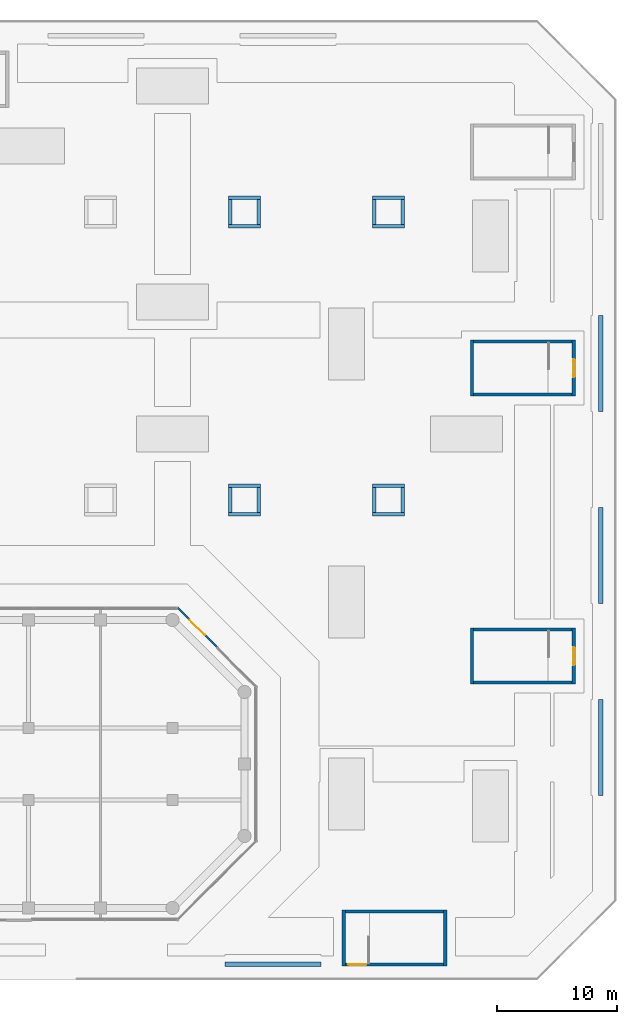
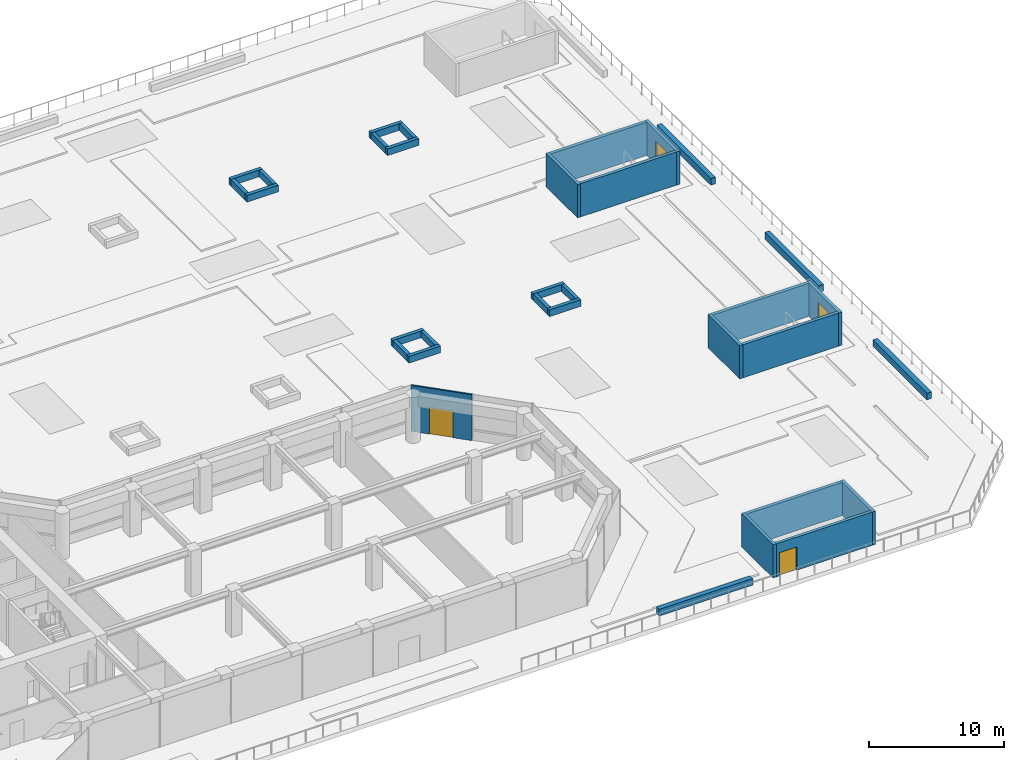
# One storey, part 27 of 31: 33 walls, 4 doors, 4 openings.
"""IFC4 building model written with IfcOpenShell, lengths in metres."""

import ifcopenshell
import ifcopenshell.guid

model = None  # the IFC model being written
_history = None  # IfcOwnerHistory: only IFC2X3 demands one
_inside = {}  # id of a spatial element -> (the spatial element, [elements in it])
_under = {}  # id of a project, library or spatial element -> (it, [spatial elements below it])
_declared = {}  # id of a project -> (the project, [libraries it declares])
_typed = {}  # id of a type object -> (the type object, [elements of that type])
_made_of = {}  # id of a material, layer set ... -> (it, [elements and type objects made of it])


def new_model(schema):
    """Start an empty IFC model of exactly this schema.

    Asked for "IFC4X3", IfcOpenShell would pick the latest addendum, in which some entities
    have other attributes; the version numbers below select the first issue.
    IFC2X3 requires an IfcOwnerHistory on every rooted entity: one is made here for all.
    """
    global model, _history
    if schema == "IFC4X3":
        model = ifcopenshell.file(schema_version=(4, 3, 0, 0))
    else:
        model = ifcopenshell.file(schema=schema)
    _inside.clear()
    _under.clear()
    _declared.clear()
    _typed.clear()
    _made_of.clear()
    _history = None
    if model.schema == "IFC2X3":
        org = make("IfcOrganization", Name="unknown")
        user = make(
            "IfcPersonAndOrganization",
            ThePerson=make("IfcPerson", FamilyName="unknown"),
            TheOrganization=org,
        )
        app = make(
            "IfcApplication",
            ApplicationDeveloper=org,
            Version="unknown",
            ApplicationFullName="unknown",
            ApplicationIdentifier="unknown",
        )
        _history = make(
            "IfcOwnerHistory",
            OwningUser=user,
            OwningApplication=app,
            ChangeAction="ADDED",
            CreationDate=0,
        )
    return model


def make(cls, **values):
    """One entity of the class cls with the attributes given. An attribute that is None is left unset."""
    return model.create_entity(
        cls, **{name: value for name, value in values.items() if value is not None}
    )


def rooted(cls, **values):
    """An entity with a GlobalId (a new one), such as an element, a storey or a relation."""
    return make(cls, GlobalId=ifcopenshell.guid.new(), OwnerHistory=_history, **values)


def si_unit(unit_type, name, prefix=None):
    """IfcSIUnit, for example si_unit("LENGTHUNIT", "METRE", prefix="MILLI")."""
    return make("IfcSIUnit", UnitType=unit_type, Prefix=prefix, Name=name)


def assignment(units):
    """IfcUnitAssignment: the units of a project."""
    return None if units is None else make("IfcUnitAssignment", Units=units)


def point(xyz):
    """IfcCartesianPoint."""
    return None if xyz is None else make("IfcCartesianPoint", Coordinates=xyz)


def direction(xyz):
    """IfcDirection."""
    return None if xyz is None else make("IfcDirection", DirectionRatios=xyz)


def frame(location, z_axis=None, x_axis=None):
    """IfcAxis2Placement3D, a coordinate frame: its origin and axes. An axis left out is left unset."""
    return make(
        "IfcAxis2Placement3D",
        Location=point(location),
        Axis=direction(z_axis),
        RefDirection=direction(x_axis),
    )


def frame_2d(location, x_axis=None):
    """IfcAxis2Placement2D, a coordinate frame in the plane: its origin and x axis."""
    return make(
        "IfcAxis2Placement2D", Location=point(location), RefDirection=direction(x_axis)
    )


def origin():
    """The frame at (0, 0, 0) with its axes left unset."""
    return frame((0.0, 0.0, 0.0))


def place(relative_to, where):
    """IfcLocalPlacement: puts the frame where relative to a parent placement (None: the world)."""
    return make(
        "IfcLocalPlacement", PlacementRelTo=relative_to, RelativePlacement=where
    )


def context(
    kind, dimensions, precision=None, world=None, true_north=None, identifier=None
):
    """IfcGeometricRepresentationContext, for example the 3D "Model" context."""
    return make(
        "IfcGeometricRepresentationContext",
        ContextIdentifier=identifier,
        ContextType=kind,
        CoordinateSpaceDimension=dimensions,
        Precision=precision,
        WorldCoordinateSystem=world,
        TrueNorth=true_north,
    )


def subcontext(parent, identifier, kind, view, scale=None):
    """IfcGeometricRepresentationSubContext, for example "Body" below "Model"."""
    return make(
        "IfcGeometricRepresentationSubContext",
        ContextIdentifier=identifier,
        ContextType=kind,
        ParentContext=parent,
        TargetScale=scale,
        TargetView=view,
    )


def project(units=None, contexts=None):
    """IfcProject with its units and contexts."""
    return rooted(
        "IfcProject",
        Name="project",
        RepresentationContexts=contexts,
        UnitsInContext=assignment(units),
    )


def spatial(cls, under=None, at=None, **own):
    """A site, building, storey or space (cls), placed at a placement, below another one or the project."""
    s = rooted(cls, ObjectPlacement=at, **own)
    if under is not None:
        _under.setdefault(under.id(), (under, []))[1].append(s)
    return s


def profile(cls, at=None, kind="AREA", **sizes):
    """A parametric profile (cls). Its sizes go by their IFC names, for example OverallWidth=200.0."""
    return make(cls, ProfileType=kind, Position=at, **sizes)


def rectangle(**sizes):
    """IfcRectangleProfileDef."""
    return profile("IfcRectangleProfileDef", **sizes)


def extrude(swept, where, along, depth):
    """IfcExtrudedAreaSolid: the profile swept, set in the frame where, extruded along a direction by depth."""
    return make(
        "IfcExtrudedAreaSolid",
        SweptArea=swept,
        Position=where,
        ExtrudedDirection=direction(along),
        Depth=depth,
    )


def shape(context_of_items, identifier, shape_type, items):
    """IfcShapeRepresentation: the items that make up one representation, for example the "Body"."""
    return make(
        "IfcShapeRepresentation",
        ContextOfItems=context_of_items,
        RepresentationIdentifier=identifier,
        RepresentationType=shape_type,
        Items=items,
    )


def material(Name=None, Category=None):
    """IfcMaterial."""
    return make("IfcMaterial", Name=Name, Category=Category)


def layer(
    of_material, thickness, ventilated=None, Name=None, Category=None, Priority=None
):
    """IfcMaterialLayer: one layer of a wall or slab, of a material (None: an air gap)."""
    return make(
        "IfcMaterialLayer",
        Material=of_material,
        LayerThickness=thickness,
        IsVentilated=ventilated,
        Name=Name,
        Category=Category,
        Priority=Priority,
    )


def layer_set(layers, Name=None):
    """IfcMaterialLayerSet."""
    return make("IfcMaterialLayerSet", MaterialLayers=layers, LayerSetName=Name)


def made_of(thing, what):
    """Note that an element or type object is made of a material, layer set ...; save() writes the relation."""
    if what is not None:
        _made_of.setdefault(what.id(), (what, []))[1].append(thing)
    return thing


def type_object(cls, material=None, **own):
    """A type object (cls), such as IfcWallType, which elements share."""
    return made_of(rooted(cls, **own), material)


def element(
    cls,
    number,
    at=None,
    inside=None,
    cuts=None,
    type_object=None,
    material=None,
    context=None,
    identifier="Body",
    shape_type=None,
    held_by="IfcProductDefinitionShape",
    body=None,
    shapes=None,
    **own,
):
    """One element of the class cls, such as IfcWall. Its Tag is "e" and its number.

    at: its placement. inside: the storey or other place that contains it. cuts: it is an
    opening in that element (IfcRelVoidsElement). A single representation is given by context,
    identifier, shape_type and body (its items); several are given by shapes. held_by: the class
    of the entity that holds the representations. save() writes the other relations.
    """
    e = rooted(cls, Tag="e%d" % number, ObjectPlacement=at, **own)
    if body is not None:
        shapes = [shape(context, identifier, shape_type, body)]
    if shapes is not None:
        e.Representation = make(held_by, Representations=shapes)
    if inside is not None:
        _inside.setdefault(inside.id(), (inside, []))[1].append(e)
    if cuts is not None:
        rooted(
            "IfcRelVoidsElement", RelatingBuildingElement=cuts, RelatedOpeningElement=e
        )
    if type_object is not None:
        _typed.setdefault(type_object.id(), (type_object, []))[1].append(e)
    return made_of(e, material)


def fill(opening, filler):
    """IfcRelFillsElement: the door or window that sits in an opening."""
    return rooted(
        "IfcRelFillsElement",
        RelatingOpeningElement=opening,
        RelatedBuildingElement=filler,
    )


def aggregate(whole, parts):
    """IfcRelAggregates: a whole, such as a stair, and the parts it consists of."""
    return rooted("IfcRelAggregates", RelatingObject=whole, RelatedObjects=parts)


def save(model, path):
    """Write the relations noted so far, then the file.

    IfcRelAggregates (storeys below a building ...), IfcRelContainedInSpatialStructure (elements
    in a storey), IfcRelDefinesByType, IfcRelAssociatesMaterial and IfcRelDeclares: one each for
    every whole, place, type object, material and project.
    """
    for whole, parts in _under.values():
        aggregate(whole, parts)
    for where, things in _inside.values():
        rooted(
            "IfcRelContainedInSpatialStructure",
            RelatedElements=things,
            RelatingStructure=where,
        )
    for kind, things in _typed.values():
        rooted("IfcRelDefinesByType", RelatedObjects=things, RelatingType=kind)
    for what, things in _made_of.values():
        rooted("IfcRelAssociatesMaterial", RelatedObjects=things, RelatingMaterial=what)
    for by, libraries in _declared.values():
        rooted("IfcRelDeclares", RelatingContext=by, RelatedDefinitions=libraries)
    model.write(path)


model = new_model("IFC4")

# Units and contexts
model_context = context("Model", 3, precision=1e-05, world=origin(), true_north=direction((0.0, 1.0)))
body_context = subcontext(model_context, "Body", "Model", "MODEL_VIEW")
ifc_project = project(units=[si_unit("LENGTHUNIT", "METRE"), si_unit("AREAUNIT", "SQUARE_METRE"), si_unit("VOLUMEUNIT", "CUBIC_METRE"), si_unit("PLANEANGLEUNIT", "RADIAN"), si_unit("MASSUNIT", "GRAM", prefix="KILO")], contexts=[model_context])

# Site, building, storey
site_placement = place(None, origin())
site = spatial("IfcSite", under=ifc_project, at=site_placement, CompositionType="ELEMENT")
building_placement = place(site_placement, origin())
building = spatial("IfcBuilding", under=site, at=building_placement, Name="Welwitschia Terrace Campus", CompositionType="ELEMENT")
storey_placement = place(building_placement, frame((0.0, 0.0, 11.0)))
storey = spatial("IfcBuildingStorey", under=building, at=storey_placement, Name="L02", CompositionType="ELEMENT", Elevation=11.0)

# Wall, opening, door
ifc_material_1 = material(Name="Concrete C40/50", Category="concrete")
ifc_layer_1 = layer(ifc_material_1, 0.139892578125)
ifc_layer_set_1 = layer_set([ifc_layer_1], Name="Concrete C40/50")
wall_type_1 = type_object("IfcWallType", Name="Clad wall 140", PredefinedType="SOLIDWALL", material=ifc_layer_set_1)
wall_1_placement = place(storey_placement, frame((63.72119140625, 17.72119140625, 0.0), z_axis=(0.0, 0.0, 1.0), x_axis=(-0.707080613853, 0.707132947552, 0.0)))
wall_1 = element("IfcWall", 1, at=wall_1_placement, inside=storey, type_object=wall_type_1, Name="Clad wall L02.deck door E", PredefinedType="SOLIDWALL", context=body_context, shape_type="SweptSolid", body=[
    extrude(rectangle(XDim=4.6650390625, YDim=0.139892578125, at=frame_2d((2.33251953125, 0.0))), origin(), (0.0, 0.0, 1.0), 4.14990234375),
])
opening_1_placement = place(wall_1_placement, frame((1.4326171875, 0.0, 0.0)))
opening_1 = element("IfcOpeningElement", 2, at=opening_1_placement, cuts=wall_1, Name="Opening DE3", PredefinedType="OPENING", context=body_context, shape_type="SweptSolid", body=[
    extrude(rectangle(XDim=1.800048828125, YDim=2.39990234375, at=frame_2d((0.89990234375, 1.199951171875))), frame((0.0, 0.079833984375, 0.0), z_axis=(0.0, -1.0, 0.0), x_axis=(1.0, 0.0, 0.0)), (0.0, 0.0, 1.0), 0.159912109375),
])
ifc_material_2 = material(Name="Bronze anodised aluminium and glass", Category="aluminium")
door_type_1 = type_object("IfcDoorType", Name="Terrace door 1800x2400", OperationType="DOUBLE_DOOR_DOUBLE_SWING", PredefinedType="DOOR", material=ifc_material_2)
door_1_placement = place(opening_1_placement, origin())
door_1 = element("IfcDoor", 3, at=door_1_placement, inside=storey, type_object=door_type_1, Name="Door L02:E", OperationType="DOUBLE_DOOR_DOUBLE_SWING", OverallHeight=2.39990234375, OverallWidth=1.800048828125, PredefinedType="DOOR", context=body_context, shape_type="SweptSolid", body=[
    extrude(rectangle(XDim=1.800048828125, YDim=2.39990234375, at=frame_2d((0.89990234375, 1.199951171875))), frame((0.0, 0.02490234375, 0.0), z_axis=(0.0, -1.0, 0.0), x_axis=(1.0, 0.0, 0.0)), (0.0, 0.0, 1.0), 0.050048828125),
])
fill(opening_1, door_1)

# Walls
ifc_material_3 = material(Name="Concrete C50/60", Category="concrete")
ifc_layer_2 = layer(ifc_material_3, 0.27490234375)
ifc_layer_set_2 = layer_set([ifc_layer_2], Name="Concrete C50/60")
wall_type_2 = type_object("IfcWallType", Name="Head house wall 275 Concrete C50/60", PredefinedType="SHEAR", material=ifc_layer_set_2)
for number, where, z_axis, x_axis, name in (
    (4, (74.262451171875, -8.85009765625, 0.0), (0.0, 0.0, 1.0), (0.0, 1.0, 0.0), "Core wall"),
    (5, (82.737548828125, -8.85009765625, 0.0), (0.0, 0.0, 1.0), (0.0, 1.0, 0.0), "Core wall"),
):
    element("IfcWall", number, at=place(storey_placement, frame(where, z_axis=z_axis, x_axis=x_axis)), inside=storey, type_object=wall_type_2, Name=name, PredefinedType="SHEAR", context=body_context, shape_type="SweptSolid", body=[
        extrude(rectangle(XDim=4.7001953125, YDim=0.27490234375, at=frame_2d((2.35009765625, 0.0))), origin(), (0.0, 0.0, 1.0), 3.0),
    ])

# Wall, opening, door
wall_2_placement = place(storey_placement, frame((82.60009765625, -8.71240234375, 0.0), z_axis=(0.0, 0.0, 1.0), x_axis=(-1.0, 0.0, 0.0)))
wall_2 = element("IfcWall", 6, at=wall_2_placement, inside=storey, type_object=wall_type_2, Name="Core wall", PredefinedType="SHEAR", context=body_context, shape_type="SweptSolid", body=[
    extrude(rectangle(XDim=8.2001953125, YDim=0.27490234375, at=frame_2d((4.10009765625, 0.0))), origin(), (0.0, 0.0, 1.0), 3.0),
])
opening_2_placement = place(wall_2_placement, frame((6.449951171875, 0.0, 0.0)))
opening_2 = element("IfcOpeningElement", 7, at=opening_2_placement, cuts=wall_2, Name="Opening DS15", PredefinedType="OPENING", context=body_context, shape_type="SweptSolid", body=[
    extrude(rectangle(XDim=1.5, YDim=2.10009765625, at=frame_2d((0.75, 1.050048828125))), frame((0.0, 0.1474609375, 0.0), z_axis=(0.0, -1.0, 0.0), x_axis=(1.0, 0.0, 0.0)), (0.0, 0.0, 1.0), 0.294921875),
])
ifc_material_4 = material(Name="Steel S275", Category="steel")
door_type_2 = type_object("IfcDoorType", Name="Core door DS15", OperationType="DOUBLE_DOOR_SINGLE_SWING", PredefinedType="DOOR", material=ifc_material_4)
door_2_placement = place(opening_2_placement, origin())
door_2 = element("IfcDoor", 8, at=door_2_placement, inside=storey, type_object=door_type_2, Name="Door P5", OperationType="DOUBLE_DOOR_SINGLE_SWING", OverallHeight=2.10009765625, OverallWidth=1.5, PredefinedType="DOOR", context=body_context, shape_type="SweptSolid", body=[
    extrude(rectangle(XDim=1.5, YDim=2.10009765625, at=frame_2d((0.75, 1.050048828125))), frame((0.0, 0.02490234375, 0.0), z_axis=(0.0, -1.0, 0.0), x_axis=(1.0, 0.0, 0.0)), (0.0, 0.0, 1.0), 0.050048828125),
])
fill(opening_2, door_2)

# Walls
wall_3_placement = place(storey_placement, frame((74.39990234375, -4.28759765625, 0.0), z_axis=(0.0, 0.0, 1.0), x_axis=(1.0, 0.0, 0.0)))
element("IfcWall", 9, at=wall_3_placement, inside=storey, type_object=wall_type_2, Name="Core wall", PredefinedType="SHEAR", context=body_context, shape_type="SweptSolid", body=[
    extrude(rectangle(XDim=8.2001953125, YDim=0.27490234375, at=frame_2d((4.10009765625, 0.0))), origin(), (0.0, 0.0, 1.0), 3.0),
])
wall_4_placement = place(storey_placement, frame((84.96240234375, 14.64990234375, 0.0), z_axis=(0.0, 0.0, 1.0), x_axis=(0.0, 1.0, 0.0)))
element("IfcWall", 10, at=wall_4_placement, inside=storey, type_object=wall_type_2, Name="Core wall", PredefinedType="SHEAR", context=body_context, shape_type="SweptSolid", body=[
    extrude(rectangle(XDim=4.7001953125, YDim=0.27490234375, at=frame_2d((2.35009765625, 0.0))), origin(), (0.0, 0.0, 1.0), 3.0),
])

# Wall, opening, door
wall_5_placement = place(storey_placement, frame((93.4375, 19.35009765625, 0.0), z_axis=(0.0, 0.0, 1.0), x_axis=(0.0, -1.0, 0.0)))
wall_5 = element("IfcWall", 11, at=wall_5_placement, inside=storey, type_object=wall_type_2, Name="Core wall", PredefinedType="SHEAR", context=body_context, shape_type="SweptSolid", body=[
    extrude(rectangle(XDim=4.7001953125, YDim=0.27490234375, at=frame_2d((2.35009765625, 0.0))), origin(), (0.0, 0.0, 1.0), 3.0),
])
opening_3_placement = place(wall_5_placement, frame((1.60009765625, 0.0, 0.0)))
opening_3 = element("IfcOpeningElement", 12, at=opening_3_placement, cuts=wall_5, Name="Opening DS15", PredefinedType="OPENING", context=body_context, shape_type="SweptSolid", body=[
    extrude(rectangle(XDim=1.5, YDim=2.10009765625, at=frame_2d((0.75, 1.050048828125))), frame((0.0, 0.1474609375, 0.0), z_axis=(0.0, -1.0, 0.0), x_axis=(1.0, 0.0, 0.0)), (0.0, 0.0, 1.0), 0.294921875),
])
door_3_placement = place(opening_3_placement, origin())
door_3 = element("IfcDoor", 13, at=door_3_placement, inside=storey, type_object=door_type_2, Name="Door P6", OperationType="DOUBLE_DOOR_SINGLE_SWING", OverallHeight=2.10009765625, OverallWidth=1.5, PredefinedType="DOOR", context=body_context, shape_type="SweptSolid", body=[
    extrude(rectangle(XDim=1.5, YDim=2.10009765625, at=frame_2d((0.75, 1.050048828125))), frame((0.0, 0.02490234375, 0.0), z_axis=(0.0, -1.0, 0.0), x_axis=(1.0, 0.0, 0.0)), (0.0, 0.0, 1.0), 0.050048828125),
])
fill(opening_3, door_3)

# Walls
for number, where, z_axis, x_axis, name in (
    (14, (85.10009765625, 14.78759765625, 0.0), (0.0, 0.0, 1.0), (1.0, 0.0, 0.0), "Core wall"),
    (15, (85.10009765625, 19.21240234375, 0.0), (0.0, 0.0, 1.0), (1.0, 0.0, 0.0), "Core wall"),
):
    element("IfcWall", number, at=place(storey_placement, frame(where, z_axis=z_axis, x_axis=x_axis)), inside=storey, type_object=wall_type_2, Name=name, PredefinedType="SHEAR", context=body_context, shape_type="SweptSolid", body=[
        extrude(rectangle(XDim=8.199951171875, YDim=0.27490234375, at=frame_2d((4.10009765625, 0.0))), origin(), (0.0, 0.0, 1.0), 3.0),
    ])
wall_6_placement = place(storey_placement, frame((84.96240234375, 38.64990234375, 0.0), z_axis=(0.0, 0.0, 1.0), x_axis=(0.0, 1.0, 0.0)))
element("IfcWall", 16, at=wall_6_placement, inside=storey, type_object=wall_type_2, Name="Core wall", PredefinedType="SHEAR", context=body_context, shape_type="SweptSolid", body=[
    extrude(rectangle(XDim=4.7001953125, YDim=0.27490234375, at=frame_2d((2.35009765625, 0.0))), origin(), (0.0, 0.0, 1.0), 3.0),
])

# Wall, opening, door
wall_7_placement = place(storey_placement, frame((93.4375, 43.35009765625, 0.0), z_axis=(0.0, 0.0, 1.0), x_axis=(0.0, -1.0, 0.0)))
wall_7 = element("IfcWall", 17, at=wall_7_placement, inside=storey, type_object=wall_type_2, Name="Core wall", PredefinedType="SHEAR", context=body_context, shape_type="SweptSolid", body=[
    extrude(rectangle(XDim=4.7001953125, YDim=0.27490234375, at=frame_2d((2.35009765625, 0.0))), origin(), (0.0, 0.0, 1.0), 3.0),
])
opening_4_placement = place(wall_7_placement, frame((1.60009765625, 0.0, 0.0)))
opening_4 = element("IfcOpeningElement", 18, at=opening_4_placement, cuts=wall_7, Name="Opening DS15", PredefinedType="OPENING", context=body_context, shape_type="SweptSolid", body=[
    extrude(rectangle(XDim=1.5, YDim=2.10009765625, at=frame_2d((0.75, 1.050048828125))), frame((0.0, 0.1474609375, 0.0), z_axis=(0.0, -1.0, 0.0), x_axis=(1.0, 0.0, 0.0)), (0.0, 0.0, 1.0), 0.294921875),
])
door_4_placement = place(opening_4_placement, origin())
door_4 = element("IfcDoor", 19, at=door_4_placement, inside=storey, type_object=door_type_2, Name="Door P8", OperationType="DOUBLE_DOOR_SINGLE_SWING", OverallHeight=2.10009765625, OverallWidth=1.5, PredefinedType="DOOR", context=body_context, shape_type="SweptSolid", body=[
    extrude(rectangle(XDim=1.5, YDim=2.10009765625, at=frame_2d((0.75, 1.050048828125))), frame((0.0, 0.02490234375, 0.0), z_axis=(0.0, -1.0, 0.0), x_axis=(1.0, 0.0, 0.0)), (0.0, 0.0, 1.0), 0.050048828125),
])
fill(opening_4, door_4)

# Walls
for number, where, z_axis, x_axis, name in (
    (20, (85.10009765625, 38.78759765625, 0.0), (0.0, 0.0, 1.0), (1.0, 0.0, 0.0), "Core wall"),
    (21, (85.10009765625, 43.21240234375, 0.0), (0.0, 0.0, 1.0), (1.0, 0.0, 0.0), "Core wall"),
):
    element("IfcWall", number, at=place(storey_placement, frame(where, z_axis=z_axis, x_axis=x_axis)), inside=storey, type_object=wall_type_2, Name=name, PredefinedType="SHEAR", context=body_context, shape_type="SweptSolid", body=[
        extrude(rectangle(XDim=8.199951171875, YDim=0.27490234375, at=frame_2d((4.10009765625, 0.0))), origin(), (0.0, 0.0, 1.0), 3.0),
    ])
ifc_material_5 = material(Name="Concrete C40/50", Category="concrete")
ifc_layer_3 = layer(ifc_material_5, 0.39990234375)
ifc_layer_set_3 = layer_set([ifc_layer_3], Name="Concrete C40/50")
wall_type_3 = type_object("IfcWallType", Name="Planter wall 400", PredefinedType="SOLIDWALL", material=ifc_layer_set_3)
for number, where, z_axis, x_axis, name in (
    (22, (95.679931640625, 45.364501953125, 0.0), (0.0, 0.0, 1.0), (0.0, -1.0, 0.0), "PLANTER"),
    (23, (95.679931640625, 29.364501953125, 0.0), (0.0, 0.0, 1.0), (0.0, -1.0, 0.0), "PLANTER"),
    (24, (95.679931640625, 13.364501953125, 0.0), (0.0, 0.0, 1.0), (0.0, -1.0, 0.0), "PLANTER"),
    (25, (72.364501953125, -8.679931640625, 0.0), (0.0, 0.0, 1.0), (-1.0, 0.0, 0.0), "PLANTER"),
):
    element("IfcWall", number, at=place(storey_placement, frame(where, z_axis=z_axis, x_axis=x_axis)), inside=storey, type_object=wall_type_3, Name=name, PredefinedType="SOLIDWALL", context=body_context, shape_type="SweptSolid", body=[
        extrude(rectangle(XDim=8.0, YDim=0.39990234375, at=frame_2d((4.0, 0.0))), origin(), (0.0, 0.0, 1.0), 0.60009765625),
    ])
ifc_material_6 = material(Name="Concrete C40/50", Category="concrete")
ifc_layer_4 = layer(ifc_material_6, 0.300048828125)
ifc_layer_set_4 = layer_set([ifc_layer_4], Name="Concrete C40/50")
wall_type_4 = type_object("IfcWallType", Name="Tree pit wall 300", PredefinedType="SOLIDWALL", material=ifc_layer_set_4)
for number, where, z_axis, x_axis, name in (
    (26, (64.64990234375, 28.800048828125, 0.0), (0.0, 0.0, 1.0), (1.0, 0.0, 0.0), "PLANTER"),
    (27, (64.64990234375, 31.199951171875, 0.0), (0.0, 0.0, 1.0), (1.0, 0.0, 0.0), "PLANTER"),
):
    element("IfcWall", number, at=place(storey_placement, frame(where, z_axis=z_axis, x_axis=x_axis)), inside=storey, type_object=wall_type_4, Name=name, PredefinedType="SOLIDWALL", context=body_context, shape_type="SweptSolid", body=[
        extrude(rectangle(XDim=2.7001953125, YDim=0.300048828125, at=frame_2d((1.35009765625, 0.0))), origin(), (0.0, 0.0, 1.0), 0.60009765625),
    ])
for number, where, z_axis, x_axis, name in (
    (28, (64.800048828125, 28.949951171875, 0.0), (0.0, 0.0, 1.0), (0.0, 1.0, 0.0), "PLANTER"),
    (29, (67.199951171875, 28.949951171875, 0.0), (0.0, 0.0, 1.0), (0.0, 1.0, 0.0), "PLANTER"),
):
    element("IfcWall", number, at=place(storey_placement, frame(where, z_axis=z_axis, x_axis=x_axis)), inside=storey, type_object=wall_type_4, Name=name, PredefinedType="SOLIDWALL", context=body_context, shape_type="SweptSolid", body=[
        extrude(rectangle(XDim=2.10009765625, YDim=0.300048828125, at=frame_2d((1.050048828125, 0.0))), origin(), (0.0, 0.0, 1.0), 0.60009765625),
    ])
for number, where, z_axis, x_axis, name in (
    (30, (64.64990234375, 52.800048828125, 0.0), (0.0, 0.0, 1.0), (1.0, 0.0, 0.0), "PLANTER"),
    (31, (64.64990234375, 55.199951171875, 0.0), (0.0, 0.0, 1.0), (1.0, 0.0, 0.0), "PLANTER"),
):
    element("IfcWall", number, at=place(storey_placement, frame(where, z_axis=z_axis, x_axis=x_axis)), inside=storey, type_object=wall_type_4, Name=name, PredefinedType="SOLIDWALL", context=body_context, shape_type="SweptSolid", body=[
        extrude(rectangle(XDim=2.7001953125, YDim=0.300048828125, at=frame_2d((1.35009765625, 0.0))), origin(), (0.0, 0.0, 1.0), 0.60009765625),
    ])
for number, where, z_axis, x_axis, name in (
    (32, (64.800048828125, 52.949951171875, 0.0), (0.0, 0.0, 1.0), (0.0, 1.0, 0.0), "PLANTER"),
    (33, (67.199951171875, 52.949951171875, 0.0), (0.0, 0.0, 1.0), (0.0, 1.0, 0.0), "PLANTER"),
):
    element("IfcWall", number, at=place(storey_placement, frame(where, z_axis=z_axis, x_axis=x_axis)), inside=storey, type_object=wall_type_4, Name=name, PredefinedType="SOLIDWALL", context=body_context, shape_type="SweptSolid", body=[
        extrude(rectangle(XDim=2.10009765625, YDim=0.300048828125, at=frame_2d((1.050048828125, 0.0))), origin(), (0.0, 0.0, 1.0), 0.60009765625),
    ])
for number, where, z_axis, x_axis, name in (
    (34, (76.64990234375, 28.800048828125, 0.0), (0.0, 0.0, 1.0), (1.0, 0.0, 0.0), "PLANTER"),
    (35, (76.64990234375, 31.199951171875, 0.0), (0.0, 0.0, 1.0), (1.0, 0.0, 0.0), "PLANTER"),
):
    element("IfcWall", number, at=place(storey_placement, frame(where, z_axis=z_axis, x_axis=x_axis)), inside=storey, type_object=wall_type_4, Name=name, PredefinedType="SOLIDWALL", context=body_context, shape_type="SweptSolid", body=[
        extrude(rectangle(XDim=2.7001953125, YDim=0.300048828125, at=frame_2d((1.35009765625, 0.0))), origin(), (0.0, 0.0, 1.0), 0.60009765625),
    ])
for number, where, z_axis, x_axis, name in (
    (36, (76.800048828125, 28.949951171875, 0.0), (0.0, 0.0, 1.0), (0.0, 1.0, 0.0), "PLANTER"),
    (37, (79.199951171875, 28.949951171875, 0.0), (0.0, 0.0, 1.0), (0.0, 1.0, 0.0), "PLANTER"),
):
    element("IfcWall", number, at=place(storey_placement, frame(where, z_axis=z_axis, x_axis=x_axis)), inside=storey, type_object=wall_type_4, Name=name, PredefinedType="SOLIDWALL", context=body_context, shape_type="SweptSolid", body=[
        extrude(rectangle(XDim=2.10009765625, YDim=0.300048828125, at=frame_2d((1.050048828125, 0.0))), origin(), (0.0, 0.0, 1.0), 0.60009765625),
    ])
for number, where, z_axis, x_axis, name in (
    (38, (76.64990234375, 52.800048828125, 0.0), (0.0, 0.0, 1.0), (1.0, 0.0, 0.0), "PLANTER"),
    (39, (76.64990234375, 55.199951171875, 0.0), (0.0, 0.0, 1.0), (1.0, 0.0, 0.0), "PLANTER"),
):
    element("IfcWall", number, at=place(storey_placement, frame(where, z_axis=z_axis, x_axis=x_axis)), inside=storey, type_object=wall_type_4, Name=name, PredefinedType="SOLIDWALL", context=body_context, shape_type="SweptSolid", body=[
        extrude(rectangle(XDim=2.7001953125, YDim=0.300048828125, at=frame_2d((1.35009765625, 0.0))), origin(), (0.0, 0.0, 1.0), 0.60009765625),
    ])
for number, where, z_axis, x_axis, name in (
    (40, (76.800048828125, 52.949951171875, 0.0), (0.0, 0.0, 1.0), (0.0, 1.0, 0.0), "PLANTER"),
    (41, (79.199951171875, 52.949951171875, 0.0), (0.0, 0.0, 1.0), (0.0, 1.0, 0.0), "PLANTER"),
):
    element("IfcWall", number, at=place(storey_placement, frame(where, z_axis=z_axis, x_axis=x_axis)), inside=storey, type_object=wall_type_4, Name=name, PredefinedType="SOLIDWALL", context=body_context, shape_type="SweptSolid", body=[
        extrude(rectangle(XDim=2.10009765625, YDim=0.300048828125, at=frame_2d((1.050048828125, 0.0))), origin(), (0.0, 0.0, 1.0), 0.60009765625),
    ])

save(model, "model.ifc")
